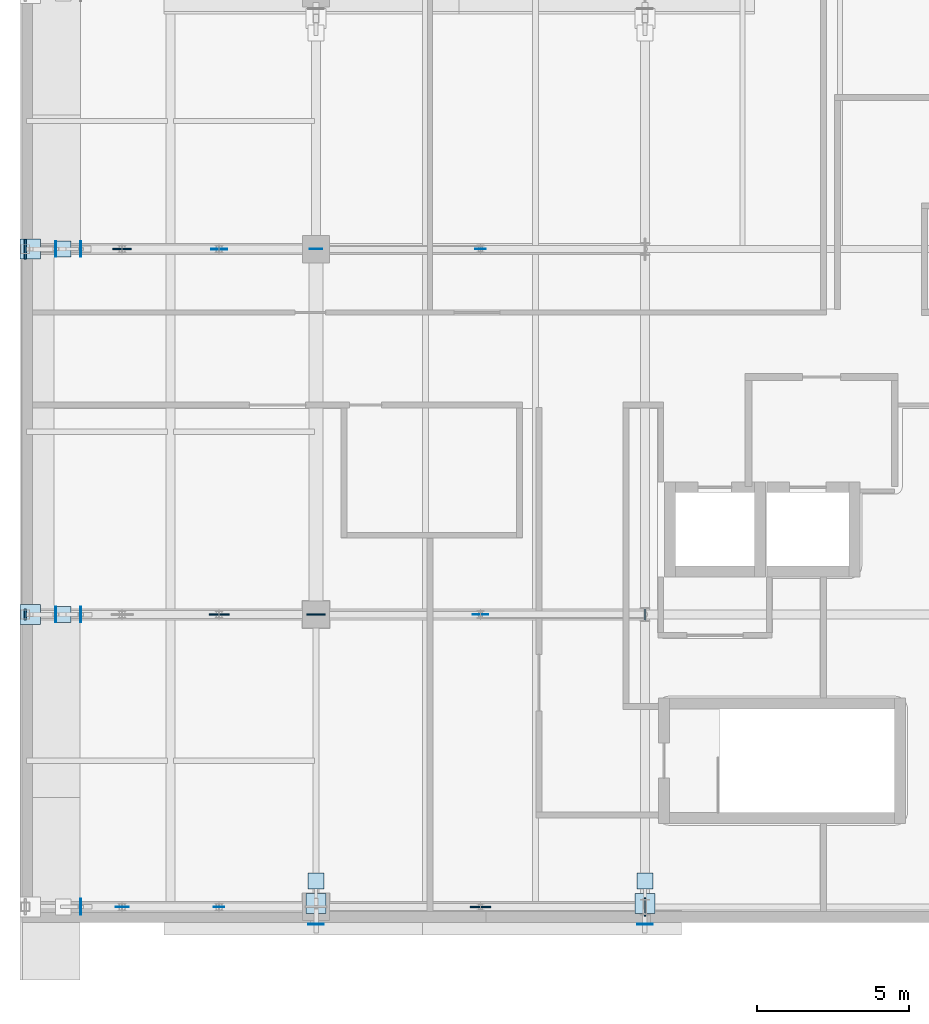
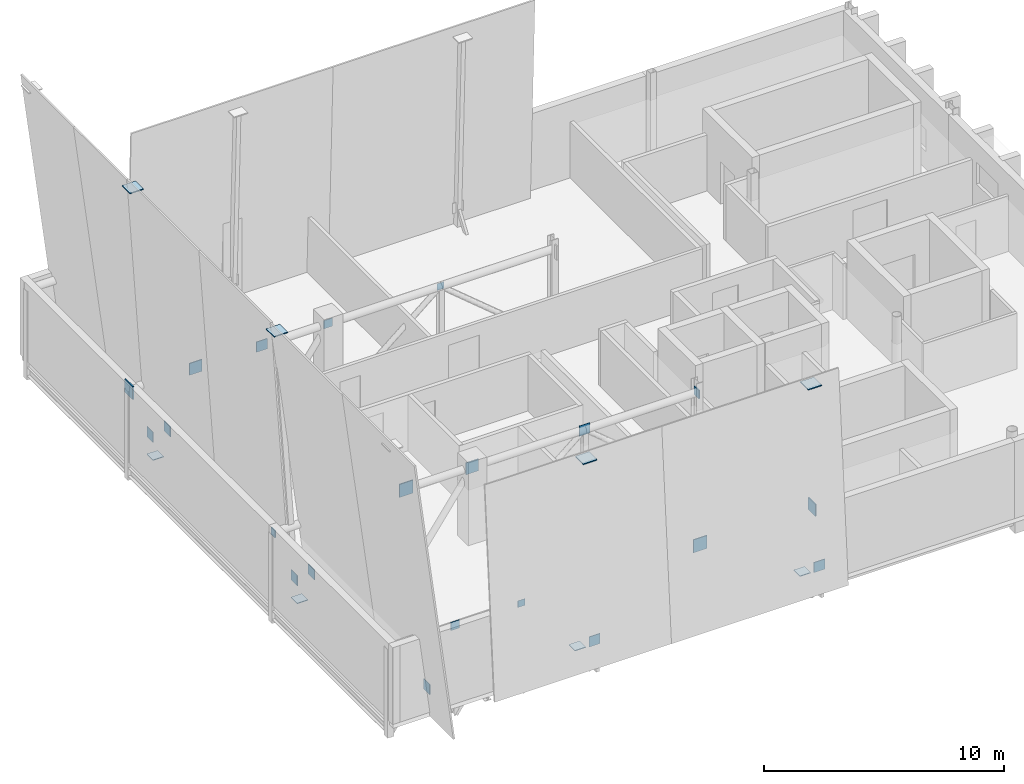
# One storey, part 5 of 10: 29 plates.
"""IFC4 building model written with IfcOpenShell, lengths in metres."""

from ifc_helpers import new_model, si_unit, direction, frame, origin, origin_2d, place, context, subcontext, project, spatial, rectangle, extrude, material, layer, layer_set, type_object, element, save


model = new_model("IFC4")

# Units and contexts
model_context = context("Model", 3, precision=1e-05, world=origin(), true_north=direction((0.0, 1.0)))
body_context = subcontext(model_context, "Body", "Model", "MODEL_VIEW")
ifc_project = project(units=[si_unit("LENGTHUNIT", "METRE"), si_unit("AREAUNIT", "SQUARE_METRE"), si_unit("VOLUMEUNIT", "CUBIC_METRE"), si_unit("PLANEANGLEUNIT", "RADIAN"), si_unit("MASSUNIT", "GRAM", prefix="KILO")], contexts=[model_context])

# Site, building, storey
site_placement = place(None, origin())
site = spatial("IfcSite", under=ifc_project, at=site_placement, CompositionType="ELEMENT")
building_placement = place(site_placement, origin())
building = spatial("IfcBuilding", under=site, at=building_placement, Name="Zereglee Splitstone Museum", CompositionType="ELEMENT")
storey_placement = place(building_placement, frame((0.0, 0.0, 25.5)))
storey = spatial("IfcBuildingStorey", under=building, at=storey_placement, Name="L05", CompositionType="ELEMENT", Elevation=25.5)

# Plates
ifc_material = material(Name="Steel S355J2", Category="steel")
ifc_layer_1 = layer(ifc_material, 0.011962890625)
ifc_layer_set_1 = layer_set([ifc_layer_1], Name="Steel S355J2")
plate_type_1 = type_object("IfcPlateType", Name="NP-06", PredefinedType="SHEET", material=ifc_layer_set_1)
plate_1_placement = place(storey_placement, frame((6.416748046875, 0.0, 3.43017578125), z_axis=(0.0, 0.0, 1.0), x_axis=(1.0, 0.0, 0.0)))
element("IfcPlate", 1, at=plate_1_placement, inside=storey, type_object=plate_type_1, Name="Cantilever Truss Node Plate CN-01", PredefinedType="SHEET", context=body_context, shape_type="SweptSolid", body=[
    extrude(rectangle(XDim=0.340087890625, YDim=0.011962890625, at=origin_2d()), origin(), (0.0, 0.0, 1.0), 0.340087890625),
])
plate_2_placement = place(storey_placement, frame((0.050048828125, 9.60009765625, 3.43017578125), z_axis=(0.0, 0.0, 1.0), x_axis=(1.0, 0.0, 0.0)))
element("IfcPlate", 2, at=plate_2_placement, inside=storey, type_object=plate_type_1, Name="Cantilever Truss Node Plate CN-02", PredefinedType="SHEET", context=body_context, shape_type="SweptSolid", body=[
    extrude(rectangle(XDim=0.06005859375, YDim=0.340087890625, at=origin_2d()), origin(), (0.0, 0.0, 1.0), 0.340087890625),
])
plate_3_placement = place(storey_placement, frame((15.0, 21.60009765625, 3.43017578125), z_axis=(0.0, 0.0, 1.0), x_axis=(1.0, 0.0, 0.0)))
element("IfcPlate", 3, at=plate_3_placement, inside=storey, type_object=plate_type_1, Name="Cantilever Truss Node Plate CN-03", PredefinedType="SHEET", context=body_context, shape_type="SweptSolid", body=[
    extrude(rectangle(XDim=0.340087890625, YDim=0.011962890625, at=origin_2d()), origin(), (0.0, 0.0, 1.0), 0.340087890625),
])
ifc_layer_2 = layer(ifc_material, 0.02001953125)
ifc_layer_set_2 = layer_set([ifc_layer_2], Name="Steel S355J2")
plate_type_2 = type_object("IfcPlateType", Name="NP-05", PredefinedType="SHEET", material=ifc_layer_set_2)
plate_4_placement = place(storey_placement, frame((3.2333984375, 0.0, 3.39013671875), z_axis=(0.0, 0.0, 1.0), x_axis=(1.0, 0.0, 0.0)))
element("IfcPlate", 4, at=plate_4_placement, inside=storey, type_object=plate_type_2, Name="Cantilever Truss Node Plate CN-01", PredefinedType="SHEET", context=body_context, shape_type="SweptSolid", body=[
    extrude(rectangle(XDim=0.419921875, YDim=0.02001953125, at=origin_2d()), origin(), (0.0, 0.0, 1.0), 0.419921875),
])
plate_5_placement = place(storey_placement, frame((20.39990234375, 9.60009765625, 3.39013671875), z_axis=(0.0, 0.0, 1.0), x_axis=(1.0, 0.0, 0.0)))
element("IfcPlate", 5, at=plate_5_placement, inside=storey, type_object=plate_type_2, Name="Cantilever Truss Node Plate CN-02", PredefinedType="SHEET", context=body_context, shape_type="SweptSolid", body=[
    extrude(rectangle(XDim=0.06005859375, YDim=0.419921875, at=origin_2d()), origin(), (0.0, 0.0, 1.0), 0.419921875),
])
plate_6_placement = place(storey_placement, frame((9.60009765625, 21.60009765625, 3.39013671875), z_axis=(0.0, 0.0, 1.0), x_axis=(1.0, 0.0, 0.0)))
element("IfcPlate", 6, at=plate_6_placement, inside=storey, type_object=plate_type_2, Name="Cantilever Truss Node Plate CN-03", PredefinedType="SHEET", context=body_context, shape_type="SweptSolid", body=[
    extrude(rectangle(XDim=0.419921875, YDim=0.02001953125, at=origin_2d()), origin(), (0.0, 0.0, 1.0), 0.419921875),
])
ifc_layer_3 = layer(ifc_material, 0.030029296875)
ifc_layer_set_3 = layer_set([ifc_layer_3], Name="Steel S355J2")
plate_type_3 = type_object("IfcPlateType", Name="NP-04", PredefinedType="SHEET", material=ifc_layer_set_3)
for number, where, z_axis, x_axis, name in (
    (7, (15.0, 9.60009765625, 3.340087890625), (0.0, 0.0, 1.0), (1.0, 0.0, 0.0), "Cantilever Truss Node Plate CN-02"),
    (8, (6.416748046875, 21.60009765625, 3.340087890625), (0.0, 0.0, 1.0), (1.0, 0.0, 0.0), "Cantilever Truss Node Plate CN-03"),
):
    element("IfcPlate", number, at=place(storey_placement, frame(where, z_axis=z_axis, x_axis=x_axis)), inside=storey, type_object=plate_type_3, Name=name, PredefinedType="SHEET", context=body_context, shape_type="SweptSolid", body=[
        extrude(rectangle(XDim=0.52001953125, YDim=0.030029296875, at=origin_2d()), origin(), (0.0, 0.0, 1.0), 0.52001953125),
    ])
plate_7_placement = place(storey_placement, frame((1.878173828125, 0.0, 0.68994140625), z_axis=(0.0, 0.0, 1.0), x_axis=(1.0, 0.0, 0.0)))
element("IfcPlate", 9, at=plate_7_placement, inside=storey, type_object=plate_type_3, Name="Facet Tie Seal Plate FH-V1W-S", PredefinedType="SHEET", context=body_context, shape_type="SweptSolid", body=[
    extrude(rectangle(XDim=0.030029296875, YDim=0.52001953125, at=origin_2d()), origin(), (0.0, 0.0, 1.0), 0.52001953125),
])
plate_8_placement = place(storey_placement, frame((1.300048828125, 9.60009765625, -0.22509765625), z_axis=(0.0, 0.0, 1.0), x_axis=(1.0, 0.0, 0.0)))
element("IfcPlate", 10, at=plate_8_placement, inside=storey, type_object=plate_type_3, Name="Facet Tie Seal Plate FH-V1W-S", PredefinedType="SHEET", context=body_context, shape_type="SweptSolid", body=[
    extrude(rectangle(XDim=0.52001953125, YDim=0.52001953125, at=origin_2d()), origin(), (0.0, 0.0, 1.0), 0.030029296875),
])
plate_9_placement = place(storey_placement, frame((1.878173828125, 9.60009765625, 0.68994140625), z_axis=(0.0, 0.0, 1.0), x_axis=(1.0, 0.0, 0.0)))
element("IfcPlate", 11, at=plate_9_placement, inside=storey, type_object=plate_type_3, Name="Facet Tie Seal Plate FH-V1W-S", PredefinedType="SHEET", context=body_context, shape_type="SweptSolid", body=[
    extrude(rectangle(XDim=0.030029296875, YDim=0.52001953125, at=origin_2d()), origin(), (0.0, 0.0, 1.0), 0.52001953125),
])
plate_10_placement = place(storey_placement, frame((1.300048828125, 21.60009765625, -0.22509765625), z_axis=(0.0, 0.0, 1.0), x_axis=(1.0, 0.0, 0.0)))
element("IfcPlate", 12, at=plate_10_placement, inside=storey, type_object=plate_type_3, Name="Facet Tie Seal Plate FH-V1W-N", PredefinedType="SHEET", context=body_context, shape_type="SweptSolid", body=[
    extrude(rectangle(XDim=0.52001953125, YDim=0.52001953125, at=origin_2d()), origin(), (0.0, 0.0, 1.0), 0.030029296875),
])
for number, where, z_axis, x_axis, name in (
    (13, (1.878173828125, 21.60009765625, 0.68994140625), (0.0, 0.0, 1.0), (1.0, 0.0, 0.0), "Facet Tie Seal Plate FH-V1W-N"),
    (14, (1.055908203125, 9.60009765625, 0.68994140625), (0.0, 0.0, 1.0), (1.0, 0.0, 0.0), "Facet Tie Seal Plate FH-V1W-M"),
    (15, (1.055908203125, 21.60009765625, 0.68994140625), (0.0, 0.0, 1.0), (1.0, 0.0, 0.0), "Facet Tie Seal Plate FH-V1W-M"),
):
    element("IfcPlate", number, at=place(storey_placement, frame(where, z_axis=z_axis, x_axis=x_axis)), inside=storey, type_object=plate_type_3, Name=name, PredefinedType="SHEET", context=body_context, shape_type="SweptSolid", body=[
        extrude(rectangle(XDim=0.030029296875, YDim=0.52001953125, at=origin_2d()), origin(), (0.0, 0.0, 1.0), 0.52001953125),
    ])
plate_11_placement = place(storey_placement, frame((9.60009765625, 0.85009765625, -0.22509765625), z_axis=(0.0, 0.0, 1.0), x_axis=(1.0, 0.0, 0.0)))
element("IfcPlate", 16, at=plate_11_placement, inside=storey, type_object=plate_type_3, Name="Facet Tie Seal Plate FH-V1S-W", PredefinedType="SHEET", context=body_context, shape_type="SweptSolid", body=[
    extrude(rectangle(XDim=0.52001953125, YDim=0.52001953125, at=origin_2d()), origin(), (0.0, 0.0, 1.0), 0.030029296875),
])
plate_12_placement = place(storey_placement, frame((9.60009765625, -0.5703125, 0.68994140625), z_axis=(0.0, 0.0, 1.0), x_axis=(1.0, 0.0, 0.0)))
element("IfcPlate", 17, at=plate_12_placement, inside=storey, type_object=plate_type_3, Name="Facet Tie Seal Plate FH-V1S-W", PredefinedType="SHEET", context=body_context, shape_type="SweptSolid", body=[
    extrude(rectangle(XDim=0.52001953125, YDim=0.030029296875, at=origin_2d()), origin(), (0.0, 0.0, 1.0), 0.52001953125),
])
plate_13_placement = place(storey_placement, frame((20.39990234375, 0.85009765625, -0.22509765625), z_axis=(0.0, 0.0, 1.0), x_axis=(1.0, 0.0, 0.0)))
element("IfcPlate", 18, at=plate_13_placement, inside=storey, type_object=plate_type_3, Name="Facet Tie Seal Plate FH-V1S-W", PredefinedType="SHEET", context=body_context, shape_type="SweptSolid", body=[
    extrude(rectangle(XDim=0.52001953125, YDim=0.52001953125, at=origin_2d()), origin(), (0.0, 0.0, 1.0), 0.030029296875),
])
plate_14_placement = place(storey_placement, frame((20.39990234375, -0.5703125, 0.68994140625), z_axis=(0.0, 0.0, 1.0), x_axis=(1.0, 0.0, 0.0)))
element("IfcPlate", 19, at=plate_14_placement, inside=storey, type_object=plate_type_3, Name="Facet Tie Seal Plate FH-V1S-W", PredefinedType="SHEET", context=body_context, shape_type="SweptSolid", body=[
    extrude(rectangle(XDim=0.52001953125, YDim=0.030029296875, at=origin_2d()), origin(), (0.0, 0.0, 1.0), 0.52001953125),
])
ifc_layer_4 = layer(ifc_material, 0.0400390625)
ifc_layer_set_4 = layer_set([ifc_layer_4], Name="Steel S355J2")
plate_type_4 = type_object("IfcPlateType", Name="NP-03", PredefinedType="SHEET", material=ifc_layer_set_4)
plate_15_placement = place(storey_placement, frame((20.39990234375, 0.0, 3.300048828125), z_axis=(0.0, 0.0, 1.0), x_axis=(1.0, 0.0, 0.0)))
element("IfcPlate", 20, at=plate_15_placement, inside=storey, type_object=plate_type_4, Name="Cantilever Truss Node Plate CN-01", PredefinedType="SHEET", context=body_context, shape_type="SweptSolid", body=[
    extrude(rectangle(XDim=0.06005859375, YDim=0.60009765625, at=origin_2d()), origin(), (0.0, 0.0, 1.0), 0.60009765625),
])
for number, where, z_axis, x_axis, name in (
    (21, (9.60009765625, 9.60009765625, 3.300048828125), (0.0, 0.0, 1.0), (1.0, 0.0, 0.0), "Cantilever Truss Node Plate CN-02"),
    (22, (3.2333984375, 21.60009765625, 3.300048828125), (0.0, 0.0, 1.0), (1.0, 0.0, 0.0), "Cantilever Truss Node Plate CN-03"),
):
    element("IfcPlate", number, at=place(storey_placement, frame(where, z_axis=z_axis, x_axis=x_axis)), inside=storey, type_object=plate_type_4, Name=name, PredefinedType="SHEET", context=body_context, shape_type="SweptSolid", body=[
        extrude(rectangle(XDim=0.60009765625, YDim=0.0400390625, at=origin_2d()), origin(), (0.0, 0.0, 1.0), 0.60009765625),
    ])
ifc_layer_5 = layer(ifc_material, 0.050048828125)
ifc_layer_set_5 = layer_set([ifc_layer_5], Name="Steel S355J2")
plate_type_5 = type_object("IfcPlateType", Name="NP-02", PredefinedType="SHEET", material=ifc_layer_set_5)
for number, where, z_axis, x_axis, name in (
    (23, (15.0, 0.0, 3.27001953125), (0.0, 0.0, 1.0), (1.0, 0.0, 0.0), "Cantilever Truss Node Plate CN-01"),
    (24, (6.416748046875, 9.60009765625, 3.27001953125), (0.0, 0.0, 1.0), (1.0, 0.0, 0.0), "Cantilever Truss Node Plate CN-02"),
):
    element("IfcPlate", number, at=place(storey_placement, frame(where, z_axis=z_axis, x_axis=x_axis)), inside=storey, type_object=plate_type_5, Name=name, PredefinedType="SHEET", context=body_context, shape_type="SweptSolid", body=[
        extrude(rectangle(XDim=0.659912109375, YDim=0.050048828125, at=origin_2d()), origin(), (0.0, 0.0, 1.0), 0.659912109375),
    ])
plate_16_placement = place(storey_placement, frame((0.050048828125, 21.60009765625, 3.27001953125), z_axis=(0.0, 0.0, 1.0), x_axis=(1.0, 0.0, 0.0)))
element("IfcPlate", 25, at=plate_16_placement, inside=storey, type_object=plate_type_5, Name="Cantilever Truss Node Plate CN-03", PredefinedType="SHEET", context=body_context, shape_type="SweptSolid", body=[
    extrude(rectangle(XDim=0.06005859375, YDim=0.659912109375, at=origin_2d()), origin(), (0.0, 0.0, 1.0), 0.659912109375),
])
for number, where, z_axis, x_axis, name in (
    (26, (0.21728515625, 9.60009765625, 13.7548828125), (0.0, 0.0, 1.0), (1.0, 0.0, 0.0), "Facet Strut Seal Plate FH-V1W-S"),
    (27, (0.21728515625, 21.60009765625, 13.7548828125), (0.0, 0.0, 1.0), (1.0, 0.0, 0.0), "Facet Strut Seal Plate FH-V1W-N"),
    (28, (9.60009765625, 0.10986328125, 9.7548828125), (0.0, 0.0, 1.0), (1.0, 0.0, 0.0), "Facet Strut Seal Plate FH-V1S-W"),
    (29, (20.39990234375, 0.10986328125, 9.7548828125), (0.0, 0.0, 1.0), (1.0, 0.0, 0.0), "Facet Strut Seal Plate FH-V1S-W"),
):
    element("IfcPlate", number, at=place(storey_placement, frame(where, z_axis=z_axis, x_axis=x_axis)), inside=storey, type_object=plate_type_5, Name=name, PredefinedType="SHEET", context=body_context, shape_type="SweptSolid", body=[
        extrude(rectangle(XDim=0.659912109375, YDim=0.659912109375, at=origin_2d()), origin(), (0.0, 0.0, 1.0), 0.050048828125),
    ])

save(model, "model.ifc")
